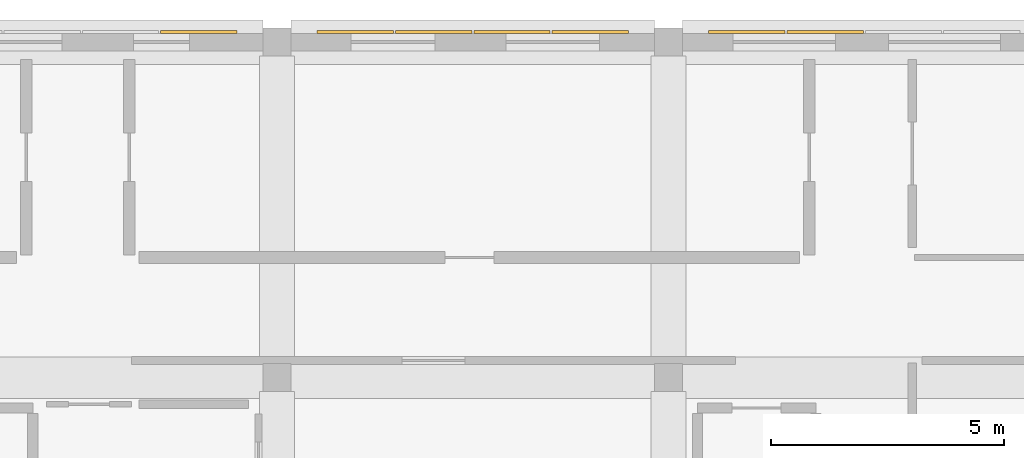
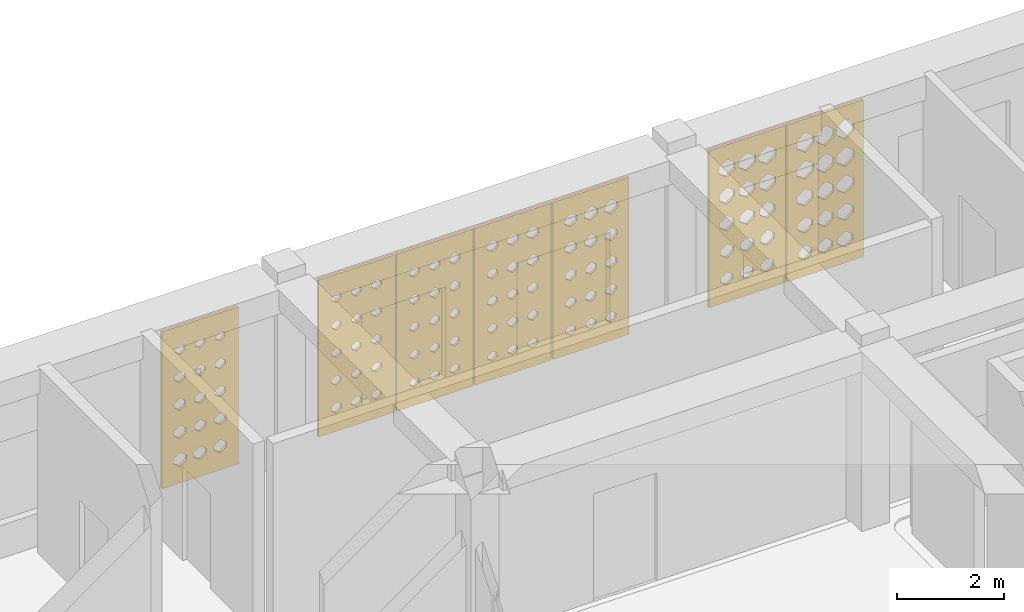
# One storey, part 26 of 28: 7 coverings.
"""IFC4 building model written with IfcOpenShell, lengths in metres."""

from ifc_helpers import new_model, si_unit, derived_unit, direction, frame, origin, place, context, subcontext, project, spatial, polyline, outline, extrude, material, layer, layer_set, type_object, element, save


model = new_model("IFC4")

# Units and contexts
model_context = context("Model", 3, precision=1e-05, world=origin(), true_north=direction((0.0, 1.0)))
body_context = subcontext(model_context, "Body", "Model", "MODEL_VIEW")
ifc_project = project(units=[si_unit("LENGTHUNIT", "METRE"), si_unit("AREAUNIT", "SQUARE_METRE"), si_unit("VOLUMEUNIT", "CUBIC_METRE"), si_unit("PLANEANGLEUNIT", "RADIAN"), si_unit("MASSUNIT", "GRAM", prefix="KILO"), derived_unit("THERMALTRANSMITTANCEUNIT", [(si_unit("POWERUNIT", "WATT"), 1), (si_unit("LENGTHUNIT", "METRE"), -2), (si_unit("THERMODYNAMICTEMPERATUREUNIT", "KELVIN"), -1)])], contexts=[model_context])

# Site, building, storey
site_placement = place(None, origin())
site = spatial("IfcSite", under=ifc_project, at=site_placement, CompositionType="ELEMENT")
building_placement = place(site_placement, origin())
building = spatial("IfcBuilding", under=site, at=building_placement, Name="Veybourne Emporium", CompositionType="ELEMENT")
storey_placement = place(building_placement, frame((0.0, 0.0, 32.10009765625)))
storey = spatial("IfcBuildingStorey", under=building, at=storey_placement, Name="L07", CompositionType="ELEMENT", Elevation=32.10009765625)

# Coverings
ifc_material = material(Name="Warm-White Perforated Aluminium Screen Alloy", Category="aluminium")
ifc_layer_1 = layer(ifc_material, 0.06005859375)
ifc_layer_set_1 = layer_set([ifc_layer_1], Name="Warm-White Perforated Aluminium Screen Alloy")
covering_type_1 = type_object("IfcCoveringType", Name="WaveScreen_SCR-01", PredefinedType="CLADDING", material=ifc_layer_set_1)
covering_1_placement = place(storey_placement, frame((31.919921875, 50.64794921875, 1.844970703125), z_axis=(0.0, -1.0, 0.0), x_axis=(1.0, 0.0, 0.0)))
element("IfcCovering", 1, at=covering_1_placement, inside=storey, type_object=covering_type_1, Name="L07 wave-perforated aluminium screen SCR-01 (13.4)", PredefinedType="CLADDING", context=body_context, shape_type="SweptSolid", body=[
    extrude(outline(polyline([(-0.81982421875, -1.78515625), (0.81982421875, -1.78515625), (0.81982421875, 1.78515625), (-0.81982421875, 1.78515625), (-0.81982421875, -1.78515625)]), holes=[polyline([(-0.433349609375, -1.136474609375), (-0.32861328125, -1.21044921875), (-0.32861328125, -1.293701171875), (-0.433349609375, -1.36767578125), (-0.537841796875, -1.293701171875), (-0.537841796875, -1.21044921875), (-0.433349609375, -1.136474609375)]), polyline([(-0.433349609375, -0.50390625), (-0.323486328125, -0.58203125), (-0.323486328125, -0.669921875), (-0.433349609375, -0.748046875), (-0.543212890625, -0.669921875), (-0.543212890625, -0.58203125), (-0.433349609375, -0.50390625)]), polyline([(-0.433349609375, 0.130615234375), (-0.31640625, 0.047119140625), (-0.31640625, -0.047119140625), (-0.433349609375, -0.130615234375), (-0.55029296875, -0.047119140625), (-0.55029296875, 0.047119140625), (-0.433349609375, 0.130615234375)]), polyline([(-0.433349609375, 0.76708984375), (-0.30810546875, 0.6767578125), (-0.30810546875, 0.5751953125), (-0.433349609375, 0.485107421875), (-0.55859375, 0.5751953125), (-0.55859375, 0.6767578125), (-0.433349609375, 0.76708984375)]), polyline([(-0.433349609375, 1.405029296875), (-0.298095703125, 1.30712890625), (-0.298095703125, 1.197021484375), (-0.433349609375, 1.09912109375), (-0.568603515625, 1.197021484375), (-0.568603515625, 1.30712890625), (-0.433349609375, 1.405029296875)]), polyline([(0.0, -1.1337890625), (0.106689453125, -1.20947265625), (0.106689453125, -1.29443359375), (0.0, -1.3701171875), (-0.106689453125, -1.29443359375), (-0.106689453125, -1.20947265625), (0.0, -1.1337890625)]), polyline([(0.0, -0.50048828125), (0.11279296875, -0.580810546875), (0.11279296875, -0.671142578125), (0.0, -0.751708984375), (-0.11279296875, -0.671142578125), (-0.11279296875, -0.580810546875), (0.0, -0.50048828125)]), polyline([(0.0, 0.135009765625), (0.120361328125, 0.048583984375), (0.120361328125, -0.048583984375), (0.0, -0.135009765625), (-0.120361328125, -0.048583984375), (-0.120361328125, 0.048583984375), (0.0, 0.135009765625)]), polyline([(0.0, 0.772216796875), (0.129638671875, 0.6787109375), (0.129638671875, 0.573486328125), (0.0, 0.479736328125), (-0.129638671875, 0.573486328125), (-0.129638671875, 0.6787109375), (0.0, 0.772216796875)]), polyline([(0.0, 1.410888671875), (0.139892578125, 1.30908203125), (0.139892578125, 1.19482421875), (0.0, 1.09326171875), (-0.139892578125, 1.19482421875), (-0.139892578125, 1.30908203125), (0.0, 1.410888671875)]), polyline([(0.433349609375, -1.130859375), (0.54248046875, -1.20849609375), (0.54248046875, -1.295654296875), (0.433349609375, -1.373291015625), (0.32421875, -1.295654296875), (0.32421875, -1.20849609375), (0.433349609375, -1.130859375)]), polyline([(0.433349609375, -0.49658203125), (0.54931640625, -0.579345703125), (0.54931640625, -0.672607421875), (0.433349609375, -0.755615234375), (0.3173828125, -0.672607421875), (0.3173828125, -0.579345703125), (0.433349609375, -0.49658203125)]), polyline([(0.433349609375, 0.139892578125), (0.5576171875, 0.05029296875), (0.5576171875, -0.05029296875), (0.433349609375, -0.139892578125), (0.30908203125, -0.05029296875), (0.30908203125, 0.05029296875), (0.433349609375, 0.139892578125)]), polyline([(0.433349609375, 0.777587890625), (0.5673828125, 0.6806640625), (0.5673828125, 0.5712890625), (0.433349609375, 0.474365234375), (0.29931640625, 0.5712890625), (0.29931640625, 0.6806640625), (0.433349609375, 0.777587890625)]), polyline([(0.433349609375, 1.416748046875), (0.578125, 1.311279296875), (0.578125, 1.192626953125), (0.433349609375, 1.087158203125), (0.28857421875, 1.192626953125), (0.28857421875, 1.311279296875), (0.433349609375, 1.416748046875)])]), origin(), (0.0, 0.0, 1.0), 0.06005859375),
])
covering_2_placement = place(storey_placement, frame((36.9599609375, 50.64794921875, 1.844970703125), z_axis=(0.0, -1.0, 0.0), x_axis=(1.0, 0.0, 0.0)))
element("IfcCovering", 2, at=covering_2_placement, inside=storey, type_object=covering_type_1, Name="L07 wave-perforated aluminium screen SCR-01 (15.2)", PredefinedType="CLADDING", context=body_context, shape_type="SweptSolid", body=[
    extrude(outline(polyline([(-0.81982421875, -1.78515625), (0.81982421875, -1.78515625), (0.81982421875, 1.78515625), (-0.81982421875, 1.78515625), (-0.81982421875, -1.78515625)]), holes=[polyline([(-0.433349609375, -1.083251953125), (-0.285400390625, -1.19140625), (-0.285400390625, -1.312744140625), (-0.433349609375, -1.420654296875), (-0.581298828125, -1.312744140625), (-0.581298828125, -1.19140625), (-0.433349609375, -1.083251953125)]), polyline([(-0.433349609375, -0.443115234375), (-0.273681640625, -0.560302734375), (-0.273681640625, -0.69189453125), (-0.433349609375, -0.808837890625), (-0.593017578125, -0.69189453125), (-0.593017578125, -0.560302734375), (-0.433349609375, -0.443115234375)]), polyline([(-0.433349609375, 0.197265625), (-0.261962890625, 0.071044921875), (-0.261962890625, -0.071044921875), (-0.433349609375, -0.197265625), (-0.604736328125, -0.071044921875), (-0.604736328125, 0.071044921875), (-0.433349609375, 0.197265625)]), polyline([(-0.433349609375, 0.837646484375), (-0.250244140625, 0.7021484375), (-0.250244140625, 0.5498046875), (-0.433349609375, 0.414306640625), (-0.616455078125, 0.5498046875), (-0.616455078125, 0.7021484375), (-0.433349609375, 0.837646484375)]), polyline([(-0.433349609375, 1.477294921875), (-0.2470703125, 1.3330078125), (-0.2470703125, 1.1708984375), (-0.433349609375, 1.026611328125), (-0.61962890625, 1.1708984375), (-0.61962890625, 1.3330078125), (-0.433349609375, 1.477294921875)]), polyline([(0.0, -1.0771484375), (0.153076171875, -1.18896484375), (0.153076171875, -1.31494140625), (0.0, -1.427001953125), (-0.153076171875, -1.31494140625), (-0.153076171875, -1.18896484375), (0.0, -1.0771484375)]), polyline([(0.0, -0.436767578125), (0.164794921875, -0.557861328125), (0.164794921875, -0.694091796875), (0.0, -0.815185546875), (-0.164794921875, -0.694091796875), (-0.164794921875, -0.557861328125), (0.0, -0.436767578125)]), polyline([(0.0, 0.20361328125), (0.176513671875, 0.0732421875), (0.176513671875, -0.0732421875), (0.0, -0.20361328125), (-0.176513671875, -0.0732421875), (-0.176513671875, 0.0732421875), (0.0, 0.20361328125)]), polyline([(0.0, 0.84375), (0.186279296875, 0.704345703125), (0.186279296875, 0.547607421875), (0.0, 0.408203125), (-0.186279296875, 0.547607421875), (-0.186279296875, 0.704345703125), (0.0, 0.84375)]), polyline([(0.0, 1.483154296875), (0.186279296875, 1.335205078125), (0.186279296875, 1.168701171875), (0.0, 1.02099609375), (-0.186279296875, 1.168701171875), (-0.186279296875, 1.335205078125), (0.0, 1.483154296875)]), polyline([(0.433349609375, -1.07080078125), (0.591552734375, -1.186767578125), (0.591552734375, -1.3173828125), (0.433349609375, -1.433349609375), (0.27490234375, -1.3173828125), (0.27490234375, -1.186767578125), (0.433349609375, -1.07080078125)]), polyline([(0.433349609375, -0.430419921875), (0.603515625, -0.5556640625), (0.603515625, -0.6962890625), (0.433349609375, -0.82177734375), (0.26318359375, -0.6962890625), (0.26318359375, -0.5556640625), (0.433349609375, -0.430419921875)]), polyline([(0.433349609375, 0.2099609375), (0.615234375, 0.07568359375), (0.615234375, -0.07568359375), (0.433349609375, -0.2099609375), (0.25146484375, -0.07568359375), (0.25146484375, 0.07568359375), (0.433349609375, 0.2099609375)]), polyline([(0.433349609375, 0.849853515625), (0.61962890625, 0.70654296875), (0.61962890625, 0.54541015625), (0.433349609375, 0.402099609375), (0.2470703125, 0.54541015625), (0.2470703125, 0.70654296875), (0.433349609375, 0.849853515625)]), polyline([(0.433349609375, 1.488525390625), (0.61962890625, 1.337158203125), (0.61962890625, 1.166748046875), (0.433349609375, 1.015380859375), (0.2470703125, 1.166748046875), (0.2470703125, 1.337158203125), (0.433349609375, 1.488525390625)])]), origin(), (0.0, 0.0, 1.0), 0.06005859375),
])
ifc_layer_2 = layer(ifc_material, 0.06005859375)
ifc_layer_set_2 = layer_set([ifc_layer_2], Name="Warm-White Perforated Aluminium Screen Alloy")
covering_type_2 = type_object("IfcCoveringType", Name="WaveScreen_SCR-02", PredefinedType="CLADDING", material=ifc_layer_set_2)
covering_3_placement = place(storey_placement, frame((23.52001953125, 50.64794921875, 1.844970703125), z_axis=(0.0, -1.0, 0.0), x_axis=(1.0, 0.0, 0.0)))
element("IfcCovering", 3, at=covering_3_placement, inside=storey, type_object=covering_type_2, Name="L07 wave-perforated aluminium screen SCR-02 (10.4)", PredefinedType="CLADDING", context=body_context, shape_type="SweptSolid", body=[
    extrude(outline(polyline([(-0.81982421875, -1.78515625), (0.81982421875, -1.78515625), (0.81982421875, 1.78515625), (-0.81982421875, 1.78515625), (-0.81982421875, -1.78515625)]), holes=[polyline([(-0.433349609375, -1.093994140625), (-0.2939453125, -1.195068359375), (-0.2939453125, -1.308837890625), (-0.433349609375, -1.41015625), (-0.57275390625, -1.308837890625), (-0.57275390625, -1.195068359375), (-0.433349609375, -1.093994140625)]), polyline([(-0.433349609375, -0.48046875), (-0.30419921875, -0.573486328125), (-0.30419921875, -0.678466796875), (-0.433349609375, -0.771484375), (-0.5625, -0.678466796875), (-0.5625, -0.573486328125), (-0.433349609375, -0.48046875)]), polyline([(-0.433349609375, 0.134521484375), (-0.313232421875, 0.04833984375), (-0.313232421875, -0.04833984375), (-0.433349609375, -0.134521484375), (-0.55322265625, -0.04833984375), (-0.55322265625, 0.04833984375), (-0.433349609375, 0.134521484375)]), polyline([(-0.433349609375, 0.751220703125), (-0.321044921875, 0.6708984375), (-0.321044921875, 0.5810546875), (-0.433349609375, 0.5009765625), (-0.545654296875, 0.5810546875), (-0.545654296875, 0.6708984375), (-0.433349609375, 0.751220703125)]), polyline([(-0.433349609375, 1.369873046875), (-0.326904296875, 1.29443359375), (-0.326904296875, 1.209716796875), (-0.433349609375, 1.134033203125), (-0.539794921875, 1.209716796875), (-0.539794921875, 1.29443359375), (-0.433349609375, 1.369873046875)]), polyline([(0.0, -1.099609375), (0.134765625, -1.197021484375), (0.134765625, -1.306884765625), (0.0, -1.404296875), (-0.134765625, -1.306884765625), (-0.134765625, -1.197021484375), (0.0, -1.099609375)]), polyline([(0.0, -0.485595703125), (0.125, -0.575439453125), (0.125, -0.676513671875), (0.0, -0.766357421875), (-0.125, -0.676513671875), (-0.125, -0.575439453125), (0.0, -0.485595703125)]), polyline([(0.0, 0.130126953125), (0.116455078125, 0.046875), (0.116455078125, -0.046875), (0.0, -0.130126953125), (-0.116455078125, -0.046875), (-0.116455078125, 0.046875), (0.0, 0.130126953125)]), polyline([(0.0, 0.74755859375), (0.109619140625, 0.669921875), (0.109619140625, 0.582275390625), (0.0, 0.50439453125), (-0.109619140625, 0.582275390625), (-0.109619140625, 0.669921875), (0.0, 0.74755859375)]), polyline([(0.0, 1.3671875), (0.1044921875, 1.29345703125), (0.1044921875, 1.21044921875), (0.0, 1.13671875), (-0.1044921875, 1.21044921875), (-0.1044921875, 1.29345703125), (0.0, 1.3671875)]), polyline([(0.433349609375, -1.10498046875), (0.5634765625, -1.19921875), (0.5634765625, -1.304931640625), (0.433349609375, -1.39892578125), (0.302978515625, -1.304931640625), (0.302978515625, -1.19921875), (0.433349609375, -1.10498046875)]), polyline([(0.433349609375, -0.490478515625), (0.55419921875, -0.5771484375), (0.55419921875, -0.6748046875), (0.433349609375, -0.76171875), (0.3125, -0.6748046875), (0.3125, -0.5771484375), (0.433349609375, -0.490478515625)]), polyline([(0.433349609375, 0.126220703125), (0.54638671875, 0.04541015625), (0.54638671875, -0.04541015625), (0.433349609375, -0.126220703125), (0.3203125, -0.04541015625), (0.3203125, 0.04541015625), (0.433349609375, 0.126220703125)]), polyline([(0.433349609375, 0.744384765625), (0.540283203125, 0.668701171875), (0.540283203125, 0.583251953125), (0.433349609375, 0.507568359375), (0.326416015625, 0.583251953125), (0.326416015625, 0.668701171875), (0.433349609375, 0.744384765625)]), polyline([(0.433349609375, 1.365234375), (0.535888671875, 1.292724609375), (0.535888671875, 1.211181640625), (0.433349609375, 1.138671875), (0.33056640625, 1.211181640625), (0.33056640625, 1.292724609375), (0.433349609375, 1.365234375)])]), origin(), (0.0, 0.0, 1.0), 0.06005859375),
])
covering_4_placement = place(storey_placement, frame((26.8798828125, 50.64794921875, 1.844970703125), z_axis=(0.0, -1.0, 0.0), x_axis=(1.0, 0.0, 0.0)))
element("IfcCovering", 4, at=covering_4_placement, inside=storey, type_object=covering_type_2, Name="L07 wave-perforated aluminium screen SCR-02 (13.1)", PredefinedType="CLADDING", context=body_context, shape_type="SweptSolid", body=[
    extrude(outline(polyline([(-0.81982421875, -1.78515625), (0.81982421875, -1.78515625), (0.81982421875, 1.78515625), (-0.81982421875, 1.78515625), (-0.81982421875, -1.78515625)]), holes=[polyline([(-0.433349609375, -1.13037109375), (-0.323974609375, -1.208251953125), (-0.323974609375, -1.2958984375), (-0.433349609375, -1.37353515625), (-0.542724609375, -1.2958984375), (-0.542724609375, -1.208251953125), (-0.433349609375, -1.13037109375)]), polyline([(-0.433349609375, -0.5107421875), (-0.3291015625, -0.58447265625), (-0.3291015625, -0.66748046875), (-0.433349609375, -0.7412109375), (-0.53759765625, -0.66748046875), (-0.53759765625, -0.58447265625), (-0.433349609375, -0.5107421875)]), polyline([(-0.433349609375, 0.111328125), (-0.332275390625, 0.0400390625), (-0.332275390625, -0.0400390625), (-0.433349609375, -0.111328125), (-0.534423828125, -0.0400390625), (-0.534423828125, 0.0400390625), (-0.433349609375, 0.111328125)]), polyline([(-0.433349609375, 0.736083984375), (-0.333251953125, 0.66552734375), (-0.333251953125, 0.58642578125), (-0.433349609375, 0.51611328125), (-0.533203125, 0.58642578125), (-0.533203125, 0.66552734375), (-0.433349609375, 0.736083984375)]), polyline([(-0.433349609375, 1.363037109375), (-0.33251953125, 1.2919921875), (-0.33251953125, 1.2119140625), (-0.433349609375, 1.140869140625), (-0.5341796875, 1.2119140625), (-0.5341796875, 1.2919921875), (-0.433349609375, 1.363037109375)]), polyline([(0.0, -1.133544921875), (0.10693359375, -1.209228515625), (0.10693359375, -1.294677734375), (0.0, -1.37060546875), (-0.10693359375, -1.294677734375), (-0.10693359375, -1.209228515625), (0.0, -1.133544921875)]), polyline([(0.0, -0.5126953125), (0.102783203125, -0.585205078125), (0.102783203125, -0.666748046875), (0.0, -0.7392578125), (-0.102783203125, -0.666748046875), (-0.102783203125, -0.585205078125), (0.0, -0.5126953125)]), polyline([(0.0, 0.110595703125), (0.100341796875, 0.039794921875), (0.100341796875, -0.039794921875), (0.0, -0.110595703125), (-0.100341796875, -0.039794921875), (-0.100341796875, 0.039794921875), (0.0, 0.110595703125)]), polyline([(0.0, 0.736083984375), (0.10009765625, 0.665771484375), (0.10009765625, 0.586181640625), (0.0, 0.515869140625), (-0.10009765625, 0.586181640625), (-0.10009765625, 0.665771484375), (0.0, 0.736083984375)]), polyline([(0.0, 1.364501953125), (0.10205078125, 1.29248046875), (0.10205078125, 1.21142578125), (0.0, 1.1396484375), (-0.10205078125, 1.21142578125), (-0.10205078125, 1.29248046875), (0.0, 1.364501953125)]), polyline([(0.433349609375, -1.135986328125), (0.5380859375, -1.210205078125), (0.5380859375, -1.293701171875), (0.433349609375, -1.367919921875), (0.32861328125, -1.293701171875), (0.32861328125, -1.210205078125), (0.433349609375, -1.135986328125)]), polyline([(0.433349609375, -0.514404296875), (0.53466796875, -0.585693359375), (0.53466796875, -0.666259765625), (0.433349609375, -0.73779296875), (0.331787109375, -0.666259765625), (0.331787109375, -0.585693359375), (0.433349609375, -0.514404296875)]), polyline([(0.433349609375, 0.110107421875), (0.533447265625, 0.03955078125), (0.533447265625, -0.03955078125), (0.433349609375, -0.110107421875), (0.333251953125, -0.03955078125), (0.333251953125, 0.03955078125), (0.433349609375, 0.110107421875)]), polyline([(0.433349609375, 0.73681640625), (0.533935546875, 0.666015625), (0.533935546875, 0.586181640625), (0.433349609375, 0.51513671875), (0.33251953125, 0.586181640625), (0.33251953125, 0.666015625), (0.433349609375, 0.73681640625)]), polyline([(0.433349609375, 1.3662109375), (0.536865234375, 1.293212890625), (0.536865234375, 1.2109375), (0.433349609375, 1.1376953125), (0.329833984375, 1.2109375), (0.329833984375, 1.293212890625), (0.433349609375, 1.3662109375)])]), origin(), (0.0, 0.0, 1.0), 0.06005859375),
])
ifc_layer_3 = layer(ifc_material, 0.06005859375)
ifc_layer_set_3 = layer_set([ifc_layer_3], Name="Warm-White Perforated Aluminium Screen Alloy")
covering_type_3 = type_object("IfcCoveringType", Name="WaveScreen_SCR-03", PredefinedType="CLADDING", material=ifc_layer_set_3)
covering_5_placement = place(storey_placement, frame((28.56005859375, 50.64794921875, 1.844970703125), z_axis=(0.0, -1.0, 0.0), x_axis=(1.0, 0.0, 0.0)))
element("IfcCovering", 5, at=covering_5_placement, inside=storey, type_object=covering_type_3, Name="L07 wave-perforated aluminium screen SCR-03 (13.2)", PredefinedType="CLADDING", context=body_context, shape_type="SweptSolid", body=[
    extrude(outline(polyline([(-0.81982421875, -1.78515625), (0.81982421875, -1.78515625), (0.81982421875, 1.78515625), (-0.81982421875, 1.78515625), (-0.81982421875, -1.78515625)]), holes=[polyline([(-0.433349609375, -1.139892578125), (-0.33154296875, -1.211669921875), (-0.33154296875, -1.29248046875), (-0.433349609375, -1.3642578125), (-0.53515625, -1.29248046875), (-0.53515625, -1.211669921875), (-0.433349609375, -1.139892578125)]), polyline([(-0.433349609375, -0.515869140625), (-0.333251953125, -0.586181640625), (-0.333251953125, -0.665771484375), (-0.433349609375, -0.736083984375), (-0.533447265625, -0.665771484375), (-0.533447265625, -0.586181640625), (-0.433349609375, -0.515869140625)]), polyline([(-0.433349609375, 0.110595703125), (-0.3330078125, 0.039794921875), (-0.3330078125, -0.039794921875), (-0.433349609375, -0.110595703125), (-0.53369140625, -0.039794921875), (-0.53369140625, 0.039794921875), (-0.433349609375, 0.110595703125)]), polyline([(-0.433349609375, 0.739501953125), (-0.33056640625, 0.6669921875), (-0.33056640625, 0.585205078125), (-0.433349609375, 0.512451171875), (-0.5361328125, 0.585205078125), (-0.5361328125, 0.6669921875), (-0.433349609375, 0.739501953125)]), polyline([(-0.433349609375, 1.370849609375), (-0.326171875, 1.294921875), (-0.326171875, 1.209228515625), (-0.433349609375, 1.13330078125), (-0.54052734375, 1.209228515625), (-0.54052734375, 1.294921875), (-0.433349609375, 1.370849609375)]), polyline([(0.0, -1.14111328125), (0.100830078125, -1.2119140625), (0.100830078125, -1.2919921875), (0.0, -1.363037109375), (-0.100830078125, -1.2919921875), (-0.100830078125, -1.2119140625), (0.0, -1.14111328125)]), polyline([(0.0, -0.51611328125), (0.10009765625, -0.58642578125), (0.10009765625, -0.66552734375), (0.0, -0.736083984375), (-0.10009765625, -0.66552734375), (-0.10009765625, -0.58642578125), (0.0, -0.51611328125)]), polyline([(0.0, 0.111572265625), (0.101318359375, 0.040283203125), (0.101318359375, -0.040283203125), (0.0, -0.111572265625), (-0.101318359375, -0.040283203125), (-0.101318359375, 0.040283203125), (0.0, 0.111572265625)]), polyline([(0.0, 0.74169921875), (0.1044921875, 0.66748046875), (0.1044921875, 0.58447265625), (0.0, 0.510498046875), (-0.1044921875, 0.58447265625), (-0.1044921875, 0.66748046875), (0.0, 0.74169921875)]), polyline([(0.0, 1.3740234375), (0.10986328125, 1.2958984375), (0.10986328125, 1.2080078125), (0.0, 1.1298828125), (-0.10986328125, 1.2080078125), (-0.10986328125, 1.2958984375), (0.0, 1.3740234375)]), polyline([(0.433349609375, -1.141845703125), (0.533447265625, -1.21240234375), (0.533447265625, -1.291748046875), (0.433349609375, -1.3623046875), (0.3330078125, -1.291748046875), (0.3330078125, -1.21240234375), (0.433349609375, -1.141845703125)]), polyline([(0.433349609375, -0.515625), (0.53369140625, -0.586181640625), (0.53369140625, -0.665771484375), (0.433349609375, -0.736328125), (0.3330078125, -0.665771484375), (0.3330078125, -0.586181640625), (0.433349609375, -0.515625)]), polyline([(0.433349609375, 0.113037109375), (0.535888671875, 0.040771484375), (0.535888671875, -0.040771484375), (0.433349609375, -0.113037109375), (0.330810546875, -0.040771484375), (0.330810546875, 0.040771484375), (0.433349609375, 0.113037109375)]), polyline([(0.433349609375, 0.744140625), (0.5400390625, 0.66845703125), (0.5400390625, 0.58349609375), (0.433349609375, 0.5078125), (0.32666015625, 0.58349609375), (0.32666015625, 0.66845703125), (0.433349609375, 0.744140625)]), polyline([(0.433349609375, 1.37744140625), (0.5458984375, 1.297119140625), (0.5458984375, 1.206787109375), (0.433349609375, 1.12646484375), (0.320556640625, 1.206787109375), (0.320556640625, 1.297119140625), (0.433349609375, 1.37744140625)])]), origin(), (0.0, 0.0, 1.0), 0.06005859375),
])
ifc_layer_4 = layer(ifc_material, 0.06005859375)
ifc_layer_set_4 = layer_set([ifc_layer_4], Name="Warm-White Perforated Aluminium Screen Alloy")
covering_type_4 = type_object("IfcCoveringType", Name="WaveScreen_SCR-04", PredefinedType="CLADDING", material=ifc_layer_set_4)
covering_6_placement = place(storey_placement, frame((30.239990234375, 50.64794921875, 1.844970703125), z_axis=(0.0, -1.0, 0.0), x_axis=(1.0, 0.0, 0.0)))
element("IfcCovering", 6, at=covering_6_placement, inside=storey, type_object=covering_type_4, Name="L07 wave-perforated aluminium screen SCR-04 (13.3)", PredefinedType="CLADDING", context=body_context, shape_type="SweptSolid", body=[
    extrude(outline(polyline([(-0.81982421875, -1.78515625), (0.81982421875, -1.78515625), (0.81982421875, 1.78515625), (-0.81982421875, 1.78515625), (-0.81982421875, -1.78515625)]), holes=[polyline([(-0.433349609375, -1.141845703125), (-0.333251953125, -1.21240234375), (-0.333251953125, -1.291748046875), (-0.433349609375, -1.3623046875), (-0.533447265625, -1.291748046875), (-0.533447265625, -1.21240234375), (-0.433349609375, -1.141845703125)]), polyline([(-0.433349609375, -0.513671875), (-0.331298828125, -0.58544921875), (-0.331298828125, -0.66650390625), (-0.433349609375, -0.73828125), (-0.535400390625, -0.66650390625), (-0.535400390625, -0.58544921875), (-0.433349609375, -0.513671875)]), polyline([(-0.433349609375, 0.1171875), (-0.327392578125, 0.042236328125), (-0.327392578125, -0.042236328125), (-0.433349609375, -0.1171875), (-0.539306640625, -0.042236328125), (-0.539306640625, 0.042236328125), (-0.433349609375, 0.1171875)]), polyline([(-0.433349609375, 0.75), (-0.32177734375, 0.670654296875), (-0.32177734375, 0.581298828125), (-0.433349609375, 0.501953125), (-0.544921875, 0.581298828125), (-0.544921875, 0.670654296875), (-0.433349609375, 0.75)]), polyline([(-0.433349609375, 1.38525390625), (-0.314208984375, 1.300048828125), (-0.314208984375, 1.2041015625), (-0.433349609375, 1.11865234375), (-0.552490234375, 1.2041015625), (-0.552490234375, 1.300048828125), (-0.433349609375, 1.38525390625)]), polyline([(0.0, -1.14111328125), (0.1005859375, -1.212158203125), (0.1005859375, -1.2919921875), (0.0, -1.36279296875), (-0.1005859375, -1.2919921875), (-0.1005859375, -1.212158203125), (0.0, -1.14111328125)]), polyline([(0.0, -0.51171875), (0.103515625, -0.5849609375), (0.103515625, -0.6669921875), (0.0, -0.740234375), (-0.103515625, -0.6669921875), (-0.103515625, -0.5849609375), (0.0, -0.51171875)]), polyline([(0.0, 0.1201171875), (0.108154296875, 0.043212890625), (0.108154296875, -0.043212890625), (0.0, -0.1201171875), (-0.108154296875, -0.043212890625), (-0.108154296875, 0.043212890625), (0.0, 0.1201171875)]), polyline([(0.0, 0.75390625), (0.11474609375, 0.672119140625), (0.11474609375, 0.579833984375), (0.0, 0.498046875), (-0.11474609375, 0.579833984375), (-0.11474609375, 0.672119140625), (0.0, 0.75390625)]), polyline([(0.0, 1.389892578125), (0.122802734375, 1.301513671875), (0.122802734375, 1.202392578125), (0.0, 1.114013671875), (-0.122802734375, 1.202392578125), (-0.122802734375, 1.301513671875), (0.0, 1.389892578125)]), polyline([(0.433349609375, -1.139892578125), (0.534912109375, -1.211669921875), (0.534912109375, -1.292236328125), (0.433349609375, -1.364013671875), (0.33154296875, -1.292236328125), (0.33154296875, -1.211669921875), (0.433349609375, -1.139892578125)]), polyline([(0.433349609375, -0.509521484375), (0.538818359375, -0.583984375), (0.538818359375, -0.66796875), (0.433349609375, -0.742431640625), (0.327880859375, -0.66796875), (0.327880859375, -0.583984375), (0.433349609375, -0.509521484375)]), polyline([(0.433349609375, 0.123291015625), (0.544189453125, 0.04443359375), (0.544189453125, -0.04443359375), (0.433349609375, -0.123291015625), (0.322509765625, -0.04443359375), (0.322509765625, 0.04443359375), (0.433349609375, 0.123291015625)]), polyline([(0.433349609375, 0.75830078125), (0.551513671875, 0.673583984375), (0.551513671875, 0.578369140625), (0.433349609375, 0.493896484375), (0.315185546875, 0.578369140625), (0.315185546875, 0.673583984375), (0.433349609375, 0.75830078125)]), polyline([(0.433349609375, 1.39501953125), (0.560302734375, 1.303466796875), (0.560302734375, 1.20068359375), (0.433349609375, 1.109130859375), (0.306396484375, 1.20068359375), (0.306396484375, 1.303466796875), (0.433349609375, 1.39501953125)])]), origin(), (0.0, 0.0, 1.0), 0.06005859375),
])
covering_7_placement = place(storey_placement, frame((35.280029296875, 50.64794921875, 1.844970703125), z_axis=(0.0, -1.0, 0.0), x_axis=(1.0, 0.0, 0.0)))
element("IfcCovering", 7, at=covering_7_placement, inside=storey, type_object=covering_type_4, Name="L07 wave-perforated aluminium screen SCR-04 (15.1)", PredefinedType="CLADDING", context=body_context, shape_type="SweptSolid", body=[
    extrude(outline(polyline([(-0.81982421875, -1.78515625), (0.81982421875, -1.78515625), (0.81982421875, 1.78515625), (-0.81982421875, 1.78515625), (-0.81982421875, -1.78515625)]), holes=[polyline([(-0.433349609375, -1.105712890625), (-0.3037109375, -1.19921875), (-0.3037109375, -1.3046875), (-0.433349609375, -1.398193359375), (-0.56298828125, -1.3046875), (-0.56298828125, -1.19921875), (-0.433349609375, -1.105712890625)]), polyline([(-0.433349609375, -0.467041015625), (-0.293212890625, -0.56884765625), (-0.293212890625, -0.68310546875), (-0.433349609375, -0.784912109375), (-0.5732421875, -0.68310546875), (-0.5732421875, -0.56884765625), (-0.433349609375, -0.467041015625)]), polyline([(-0.433349609375, 0.172607421875), (-0.2822265625, 0.06201171875), (-0.2822265625, -0.06201171875), (-0.433349609375, -0.172607421875), (-0.58447265625, -0.06201171875), (-0.58447265625, 0.06201171875), (-0.433349609375, 0.172607421875)]), polyline([(-0.433349609375, 0.812744140625), (-0.2705078125, 0.693115234375), (-0.2705078125, 0.558837890625), (-0.433349609375, 0.439208984375), (-0.59619140625, 0.558837890625), (-0.59619140625, 0.693115234375), (-0.433349609375, 0.812744140625)]), polyline([(-0.433349609375, 1.453125), (-0.2587890625, 1.324462890625), (-0.2587890625, 1.1796875), (-0.433349609375, 1.05078125), (-0.60791015625, 1.1796875), (-0.60791015625, 1.324462890625), (-0.433349609375, 1.453125)]), polyline([(0.0, -1.100341796875), (0.134033203125, -1.197509765625), (0.134033203125, -1.306640625), (0.0, -1.40380859375), (-0.134033203125, -1.306640625), (-0.134033203125, -1.197509765625), (0.0, -1.100341796875)]), polyline([(0.0, -0.461181640625), (0.14501953125, -0.566650390625), (0.14501953125, -0.685302734375), (0.0, -0.790771484375), (-0.14501953125, -0.685302734375), (-0.14501953125, -0.566650390625), (0.0, -0.461181640625)]), polyline([(0.0, 0.1787109375), (0.15625, 0.064453125), (0.15625, -0.064453125), (0.0, -0.1787109375), (-0.15625, -0.064453125), (-0.15625, 0.064453125), (0.0, 0.1787109375)]), polyline([(0.0, 0.819091796875), (0.168212890625, 0.695556640625), (0.168212890625, 0.556396484375), (0.0, 0.432861328125), (-0.168212890625, 0.556396484375), (-0.168212890625, 0.695556640625), (0.0, 0.819091796875)]), polyline([(0.0, 1.459716796875), (0.179931640625, 1.32666015625), (0.179931640625, 1.17724609375), (0.0, 1.04443359375), (-0.179931640625, 1.17724609375), (-0.179931640625, 1.32666015625), (0.0, 1.459716796875)]), polyline([(0.433349609375, -1.094482421875), (0.572021484375, -1.1953125), (0.572021484375, -1.30859375), (0.433349609375, -1.409423828125), (0.29443359375, -1.30859375), (0.29443359375, -1.1953125), (0.433349609375, -1.094482421875)]), polyline([(0.433349609375, -0.455078125), (0.583251953125, -0.564453125), (0.583251953125, -0.6875), (0.433349609375, -0.797119140625), (0.283447265625, -0.6875), (0.283447265625, -0.564453125), (0.433349609375, -0.455078125)]), polyline([(0.433349609375, 0.185302734375), (0.594970703125, 0.066650390625), (0.594970703125, -0.066650390625), (0.433349609375, -0.185302734375), (0.271728515625, -0.066650390625), (0.271728515625, 0.066650390625), (0.433349609375, 0.185302734375)]), polyline([(0.433349609375, 0.82568359375), (0.606689453125, 0.697998046875), (0.606689453125, 0.55419921875), (0.433349609375, 0.42626953125), (0.260009765625, 0.55419921875), (0.260009765625, 0.697998046875), (0.433349609375, 0.82568359375)]), polyline([(0.433349609375, 1.4658203125), (0.618408203125, 1.3291015625), (0.618408203125, 1.175048828125), (0.433349609375, 1.0380859375), (0.248291015625, 1.175048828125), (0.248291015625, 1.3291015625), (0.433349609375, 1.4658203125)])]), origin(), (0.0, 0.0, 1.0), 0.06005859375),
])

save(model, "model.ifc")
